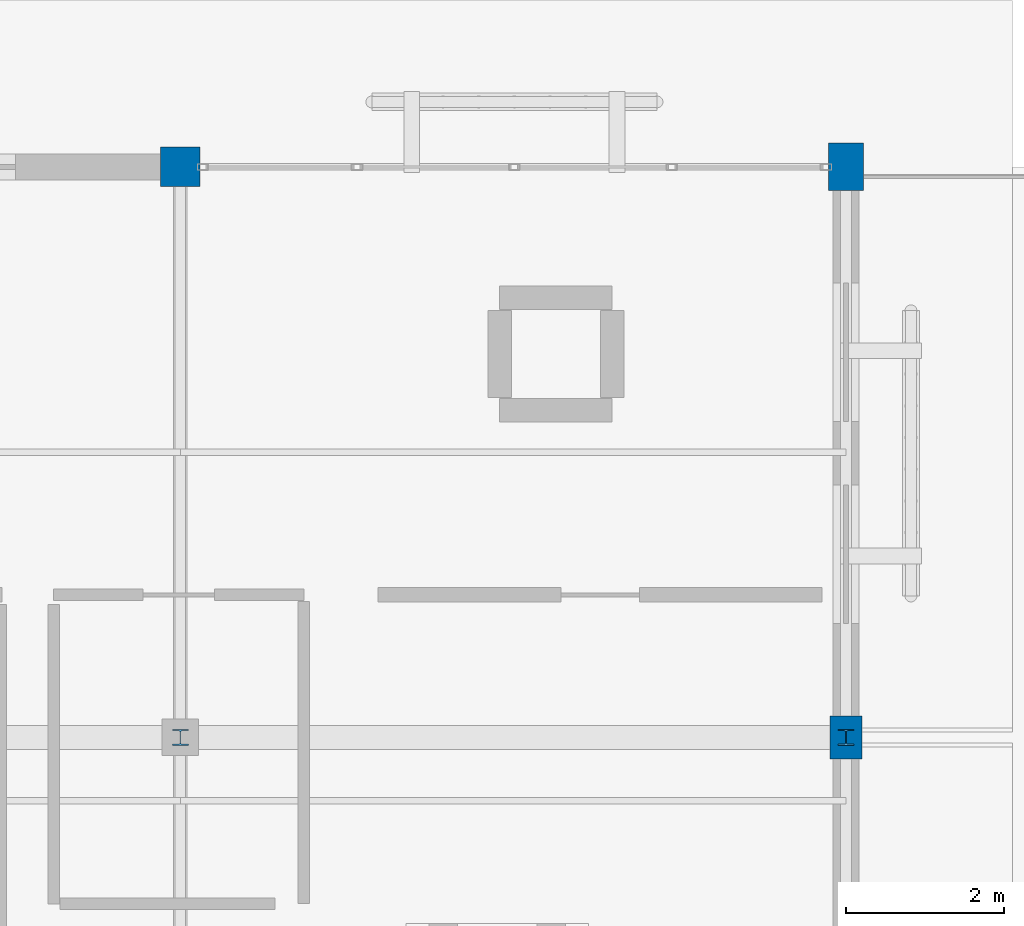
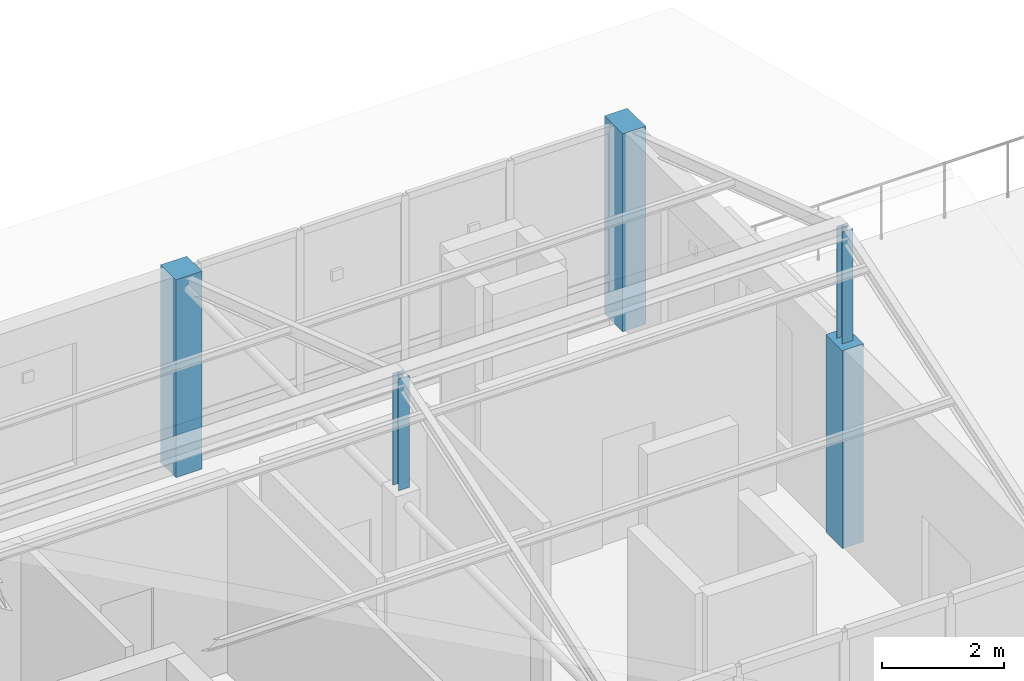
# One storey, part 4 of 112: 5 columns.
"""IFC4 building model written with IfcOpenShell, lengths in metres."""

from ifc_helpers import new_model, si_unit, direction, frame, origin, origin_2d, place, context, subcontext, project, spatial, rectangle, i_section, extrude, material, material_profile, profile_set, type_object, element, save


model = new_model("IFC4")

# Units and contexts
model_context = context("Model", 3, precision=1e-05, world=origin(), true_north=direction((0.0, 1.0)))
body_context = subcontext(model_context, "Body", "Model", "MODEL_VIEW")
ifc_project = project(units=[si_unit("LENGTHUNIT", "METRE"), si_unit("AREAUNIT", "SQUARE_METRE"), si_unit("VOLUMEUNIT", "CUBIC_METRE"), si_unit("PLANEANGLEUNIT", "RADIAN"), si_unit("MASSUNIT", "GRAM", prefix="KILO")], contexts=[model_context])

# Site, building, storey
site_placement = place(None, origin())
site = spatial("IfcSite", under=ifc_project, at=site_placement, CompositionType="ELEMENT")
building_placement = place(site_placement, origin())
building = spatial("IfcBuilding", under=site, at=building_placement, Name="Mazaris Harbour Polytechnic", CompositionType="ELEMENT")
storey_placement = place(building_placement, frame((0.0, 0.0, 13.800048828125)))
storey = spatial("IfcBuildingStorey", under=building, at=storey_placement, Name="L03", CompositionType="ELEMENT", Elevation=13.800048828125)

# Columns
ifc_material_1 = material(Name="Glulam GL28h", Category="wood")
ifc_material_profile_1 = material_profile(ifc_material_1, rectangle(XDim=0.39990234375, YDim=0.5400390625, at=origin_2d()), Name="RECT400x540")
ifc_profile_set_1 = profile_set([ifc_material_profile_1], Name="Glulam GL28h")
column_type_1 = type_object("IfcColumnType", Name="Glulam Column 400x540 Exterior", PredefinedType="COLUMN", material=ifc_profile_set_1)
column_1_placement = place(storey_placement, frame((79.199951171875, 28.800048828125, 0.0), z_axis=(0.0, 0.0, 1.0), x_axis=(1.0, 0.0, 0.0)))
element("IfcColumn", 1, at=column_1_placement, inside=storey, type_object=column_type_1, Name="V3 L03 Column 550", PredefinedType="COLUMN", context=body_context, shape_type="SweptSolid", body=[
    extrude(rectangle(XDim=0.39990234375, YDim=0.5400390625, at=origin_2d()), origin(), (0.0, 0.0, 1.0), 3.9599609375),
])
ifc_material_2 = material(Name="Glulam GL28h", Category="wood")
ifc_material_profile_2 = material_profile(ifc_material_2, rectangle(XDim=0.43994140625, YDim=0.60009765625, at=origin_2d()), Name="RECT440x600")
ifc_profile_set_2 = profile_set([ifc_material_profile_2], Name="Glulam GL28h")
column_type_2 = type_object("IfcColumnType", Name="Glulam Column 440x600 Exterior", PredefinedType="COLUMN", material=ifc_profile_set_2)
column_2_placement = place(storey_placement, frame((79.199951171875, 36.0, 0.0), z_axis=(0.0, 0.0, 1.0), x_axis=(1.0, 0.0, 0.0)))
element("IfcColumn", 2, at=column_2_placement, inside=storey, type_object=column_type_2, Name="V3 L03 Column 551", PredefinedType="COLUMN", context=body_context, shape_type="SweptSolid", body=[
    extrude(rectangle(XDim=0.43994140625, YDim=0.60009765625, at=origin_2d()), origin(), (0.0, 0.0, 1.0), 3.9599609375),
])
ifc_material_3 = material(Name="Glulam GL28h", Category="wood")
ifc_material_profile_3 = material_profile(ifc_material_3, rectangle(XDim=0.5, YDim=0.5, at=origin_2d()), Name="RECT500x500")
ifc_profile_set_3 = profile_set([ifc_material_profile_3], Name="Glulam GL28h")
column_type_3 = type_object("IfcColumnType", Name="Glulam Column 500x500 Exterior", PredefinedType="COLUMN", material=ifc_profile_set_3)
column_3_placement = place(storey_placement, frame((70.800048828125, 36.0, 0.0), z_axis=(0.0, 0.0, 1.0), x_axis=(1.0, 0.0, 0.0)))
element("IfcColumn", 3, at=column_3_placement, inside=storey, type_object=column_type_3, Name="V3 L03 Column 548", PredefinedType="COLUMN", context=body_context, shape_type="SweptSolid", body=[
    extrude(rectangle(XDim=0.5, YDim=0.5, at=origin_2d()), origin(), (0.0, 0.0, 1.0), 3.9599609375),
])
ifc_material_4 = material(Name="Steel S355", Category="steel")
ifc_material_profile_4 = material_profile(ifc_material_4, i_section(OverallWidth=0.199951171875, OverallDepth=0.199951171875, WebThickness=0.009033203125, FlangeThickness=0.014892578125, FilletRadius=0.01806640625, at=origin_2d()), Name="HEB 200")
ifc_profile_set_4 = profile_set([ifc_material_profile_4], Name="Steel S355")
column_type_4 = type_object("IfcColumnType", Name="Steel Column HEB200", PredefinedType="COLUMN", material=ifc_profile_set_4)
for number, where, z_axis, x_axis, name in (
    (4, (70.800048828125, 28.800048828125, 3.9599609375), (0.0, 0.0, 1.0), (1.0, 0.0, 0.0), "V3 Pavilion Ridge King Post 70.8"),
    (5, (79.199951171875, 28.800048828125, 3.9599609375), (0.0, 0.0, 1.0), (1.0, 0.0, 0.0), "V3 Pavilion Ridge King Post 79.2"),
):
    element("IfcColumn", number, at=place(storey_placement, frame(where, z_axis=z_axis, x_axis=x_axis)), inside=storey, type_object=column_type_4, Name=name, PredefinedType="COLUMN", context=body_context, shape_type="SweptSolid", body=[
        extrude(i_section(OverallWidth=0.199951171875, OverallDepth=0.199951171875, WebThickness=0.009033203125, FlangeThickness=0.014892578125, FilletRadius=0.01806640625, at=origin_2d()), origin(), (0.0, 0.0, 1.0), 2.235107421875),
    ])

save(model, "model.ifc")
